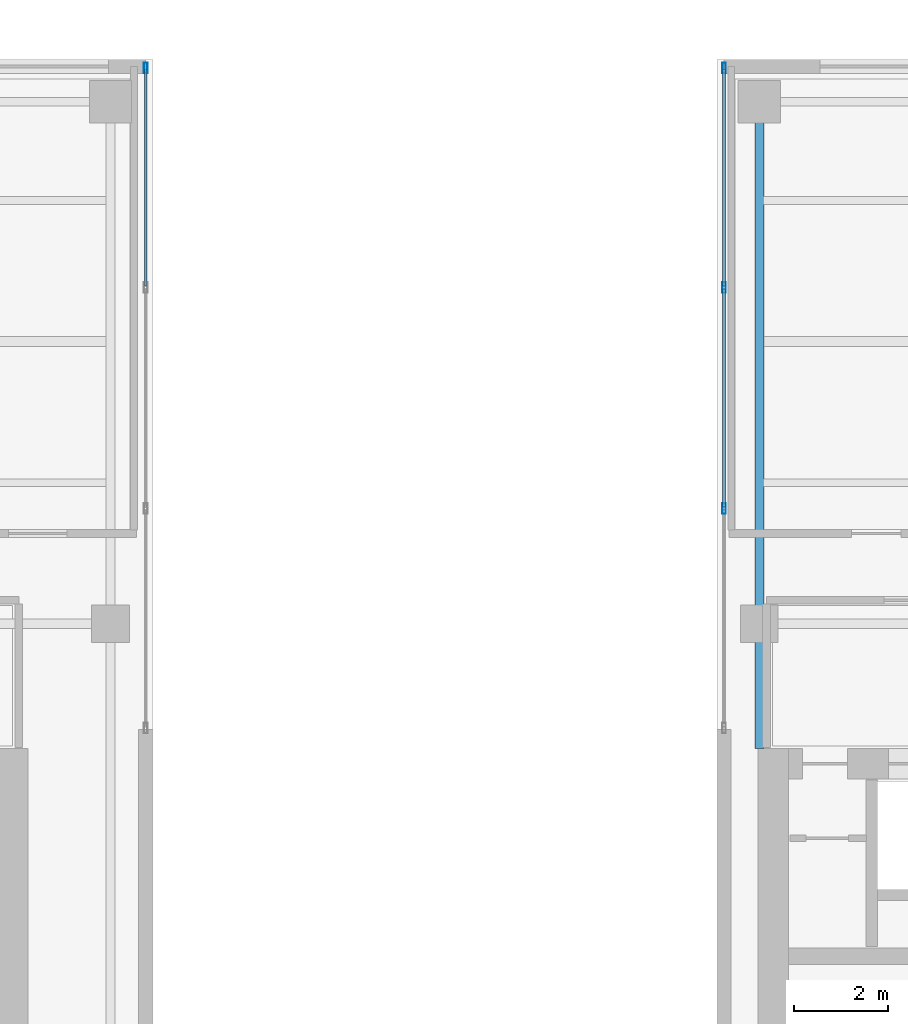
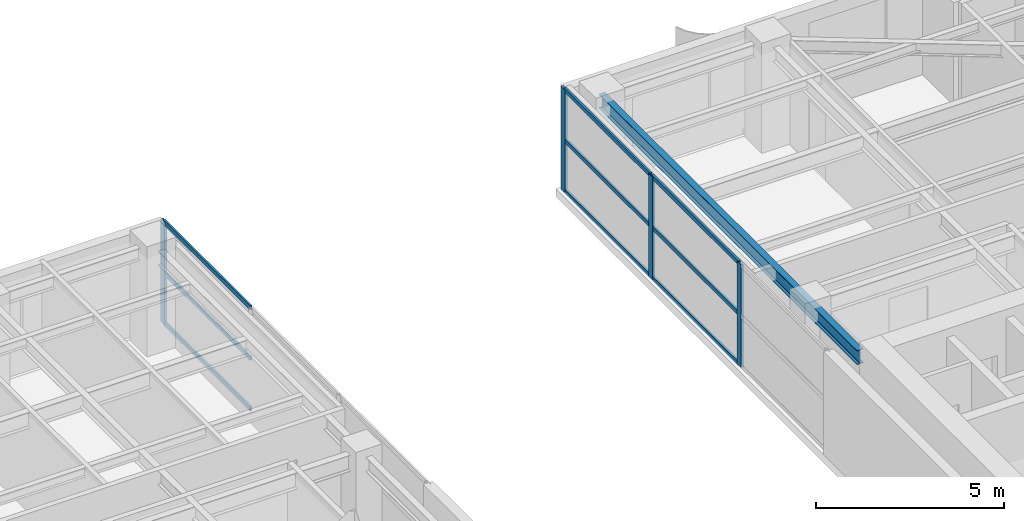
# One storey, part 14 of 22: 13 members, 1 beam, 2 elements without a shape of their own.
"""IFC4 building model written with IfcOpenShell, lengths in metres."""

import ifcopenshell
import ifcopenshell.guid

model = None  # the IFC model being written
_history = None  # IfcOwnerHistory: only IFC2X3 demands one
_inside = {}  # id of a spatial element -> (the spatial element, [elements in it])
_under = {}  # id of a project, library or spatial element -> (it, [spatial elements below it])
_declared = {}  # id of a project -> (the project, [libraries it declares])
_typed = {}  # id of a type object -> (the type object, [elements of that type])
_made_of = {}  # id of a material, layer set ... -> (it, [elements and type objects made of it])


def new_model(schema):
    """Start an empty IFC model of exactly this schema.

    Asked for "IFC4X3", IfcOpenShell would pick the latest addendum, in which some entities
    have other attributes; the version numbers below select the first issue.
    IFC2X3 requires an IfcOwnerHistory on every rooted entity: one is made here for all.
    """
    global model, _history
    if schema == "IFC4X3":
        model = ifcopenshell.file(schema_version=(4, 3, 0, 0))
    else:
        model = ifcopenshell.file(schema=schema)
    _inside.clear()
    _under.clear()
    _declared.clear()
    _typed.clear()
    _made_of.clear()
    _history = None
    if model.schema == "IFC2X3":
        org = make("IfcOrganization", Name="unknown")
        user = make(
            "IfcPersonAndOrganization",
            ThePerson=make("IfcPerson", FamilyName="unknown"),
            TheOrganization=org,
        )
        app = make(
            "IfcApplication",
            ApplicationDeveloper=org,
            Version="unknown",
            ApplicationFullName="unknown",
            ApplicationIdentifier="unknown",
        )
        _history = make(
            "IfcOwnerHistory",
            OwningUser=user,
            OwningApplication=app,
            ChangeAction="ADDED",
            CreationDate=0,
        )
    return model


def make(cls, **values):
    """One entity of the class cls with the attributes given. An attribute that is None is left unset."""
    return model.create_entity(
        cls, **{name: value for name, value in values.items() if value is not None}
    )


def rooted(cls, **values):
    """An entity with a GlobalId (a new one), such as an element, a storey or a relation."""
    return make(cls, GlobalId=ifcopenshell.guid.new(), OwnerHistory=_history, **values)


def si_unit(unit_type, name, prefix=None):
    """IfcSIUnit, for example si_unit("LENGTHUNIT", "METRE", prefix="MILLI")."""
    return make("IfcSIUnit", UnitType=unit_type, Prefix=prefix, Name=name)


def assignment(units):
    """IfcUnitAssignment: the units of a project."""
    return None if units is None else make("IfcUnitAssignment", Units=units)


def point(xyz):
    """IfcCartesianPoint."""
    return None if xyz is None else make("IfcCartesianPoint", Coordinates=xyz)


def direction(xyz):
    """IfcDirection."""
    return None if xyz is None else make("IfcDirection", DirectionRatios=xyz)


def frame(location, z_axis=None, x_axis=None):
    """IfcAxis2Placement3D, a coordinate frame: its origin and axes. An axis left out is left unset."""
    return make(
        "IfcAxis2Placement3D",
        Location=point(location),
        Axis=direction(z_axis),
        RefDirection=direction(x_axis),
    )


def frame_2d(location, x_axis=None):
    """IfcAxis2Placement2D, a coordinate frame in the plane: its origin and x axis."""
    return make(
        "IfcAxis2Placement2D", Location=point(location), RefDirection=direction(x_axis)
    )


def origin():
    """The frame at (0, 0, 0) with its axes left unset."""
    return frame((0.0, 0.0, 0.0))


def origin_2d():
    """The frame at (0, 0) in the plane with its x axis left unset."""
    return frame_2d((0.0, 0.0))


def place(relative_to, where):
    """IfcLocalPlacement: puts the frame where relative to a parent placement (None: the world)."""
    return make(
        "IfcLocalPlacement", PlacementRelTo=relative_to, RelativePlacement=where
    )


def context(
    kind, dimensions, precision=None, world=None, true_north=None, identifier=None
):
    """IfcGeometricRepresentationContext, for example the 3D "Model" context."""
    return make(
        "IfcGeometricRepresentationContext",
        ContextIdentifier=identifier,
        ContextType=kind,
        CoordinateSpaceDimension=dimensions,
        Precision=precision,
        WorldCoordinateSystem=world,
        TrueNorth=true_north,
    )


def subcontext(parent, identifier, kind, view, scale=None):
    """IfcGeometricRepresentationSubContext, for example "Body" below "Model"."""
    return make(
        "IfcGeometricRepresentationSubContext",
        ContextIdentifier=identifier,
        ContextType=kind,
        ParentContext=parent,
        TargetScale=scale,
        TargetView=view,
    )


def project(units=None, contexts=None):
    """IfcProject with its units and contexts."""
    return rooted(
        "IfcProject",
        Name="project",
        RepresentationContexts=contexts,
        UnitsInContext=assignment(units),
    )


def spatial(cls, under=None, at=None, **own):
    """A site, building, storey or space (cls), placed at a placement, below another one or the project."""
    s = rooted(cls, ObjectPlacement=at, **own)
    if under is not None:
        _under.setdefault(under.id(), (under, []))[1].append(s)
    return s


def profile(cls, at=None, kind="AREA", **sizes):
    """A parametric profile (cls). Its sizes go by their IFC names, for example OverallWidth=200.0."""
    return make(cls, ProfileType=kind, Position=at, **sizes)


def hollow_rectangle(**sizes):
    """IfcRectangleHollowProfileDef."""
    return profile("IfcRectangleHollowProfileDef", **sizes)


def i_section(**sizes):
    """IfcIShapeProfileDef."""
    return profile("IfcIShapeProfileDef", **sizes)


def extrude(swept, where, along, depth):
    """IfcExtrudedAreaSolid: the profile swept, set in the frame where, extruded along a direction by depth."""
    return make(
        "IfcExtrudedAreaSolid",
        SweptArea=swept,
        Position=where,
        ExtrudedDirection=direction(along),
        Depth=depth,
    )


def shape(context_of_items, identifier, shape_type, items):
    """IfcShapeRepresentation: the items that make up one representation, for example the "Body"."""
    return make(
        "IfcShapeRepresentation",
        ContextOfItems=context_of_items,
        RepresentationIdentifier=identifier,
        RepresentationType=shape_type,
        Items=items,
    )


def source(mapping_origin, context_of_items, identifier, shape_type, items):
    """IfcRepresentationMap: a shape defined once, which mapped items show again and again."""
    return make(
        "IfcRepresentationMap",
        MappingOrigin=mapping_origin,
        MappedRepresentation=shape(context_of_items, identifier, shape_type, items),
    )


def transform(
    local_origin,
    x_axis=None,
    y_axis=None,
    z_axis=None,
    scale=None,
    scale2=None,
    scale3=None,
    uniform=True,
):
    """IfcCartesianTransformationOperator3D, or its non-uniform kind. x_axis, y_axis, z_axis: its Axis1, 2, 3."""
    if uniform:
        return make(
            "IfcCartesianTransformationOperator3D",
            Axis1=direction(x_axis),
            Axis2=direction(y_axis),
            LocalOrigin=point(local_origin),
            Scale=scale,
            Axis3=direction(z_axis),
        )
    return make(
        "IfcCartesianTransformationOperator3DnonUniform",
        Axis1=direction(x_axis),
        Axis2=direction(y_axis),
        LocalOrigin=point(local_origin),
        Scale=scale,
        Axis3=direction(z_axis),
        Scale2=scale2,
        Scale3=scale3,
    )


def mapped(mapping_source, mapping_target):
    """IfcMappedItem: shows the shape of a source again, moved by a transform."""
    return make(
        "IfcMappedItem", MappingSource=mapping_source, MappingTarget=mapping_target
    )


def material(Name=None, Category=None):
    """IfcMaterial."""
    return make("IfcMaterial", Name=Name, Category=Category)


def layer(
    of_material, thickness, ventilated=None, Name=None, Category=None, Priority=None
):
    """IfcMaterialLayer: one layer of a wall or slab, of a material (None: an air gap)."""
    return make(
        "IfcMaterialLayer",
        Material=of_material,
        LayerThickness=thickness,
        IsVentilated=ventilated,
        Name=Name,
        Category=Category,
        Priority=Priority,
    )


def layer_set(layers, Name=None):
    """IfcMaterialLayerSet."""
    return make("IfcMaterialLayerSet", MaterialLayers=layers, LayerSetName=Name)


def material_profile(
    of_material, cross_section, Name=None, Category=None, Priority=None
):
    """IfcMaterialProfile: a cross section and its material."""
    return make(
        "IfcMaterialProfile",
        Name=Name,
        Material=of_material,
        Profile=cross_section,
        Priority=Priority,
        Category=Category,
    )


def profile_set(profiles, Name=None, composite=None):
    """IfcMaterialProfileSet."""
    return make(
        "IfcMaterialProfileSet",
        Name=Name,
        MaterialProfiles=profiles,
        CompositeProfile=composite,
    )


def made_of(thing, what):
    """Note that an element or type object is made of a material, layer set ...; save() writes the relation."""
    if what is not None:
        _made_of.setdefault(what.id(), (what, []))[1].append(thing)
    return thing


def type_object(cls, material=None, **own):
    """A type object (cls), such as IfcWallType, which elements share."""
    return made_of(rooted(cls, **own), material)


def element(
    cls,
    number,
    at=None,
    inside=None,
    cuts=None,
    type_object=None,
    material=None,
    context=None,
    identifier="Body",
    shape_type=None,
    held_by="IfcProductDefinitionShape",
    body=None,
    shapes=None,
    **own,
):
    """One element of the class cls, such as IfcWall. Its Tag is "e" and its number.

    at: its placement. inside: the storey or other place that contains it. cuts: it is an
    opening in that element (IfcRelVoidsElement). A single representation is given by context,
    identifier, shape_type and body (its items); several are given by shapes. held_by: the class
    of the entity that holds the representations. save() writes the other relations.
    """
    e = rooted(cls, Tag="e%d" % number, ObjectPlacement=at, **own)
    if body is not None:
        shapes = [shape(context, identifier, shape_type, body)]
    if shapes is not None:
        e.Representation = make(held_by, Representations=shapes)
    if inside is not None:
        _inside.setdefault(inside.id(), (inside, []))[1].append(e)
    if cuts is not None:
        rooted(
            "IfcRelVoidsElement", RelatingBuildingElement=cuts, RelatedOpeningElement=e
        )
    if type_object is not None:
        _typed.setdefault(type_object.id(), (type_object, []))[1].append(e)
    return made_of(e, material)


def aggregate(whole, parts):
    """IfcRelAggregates: a whole, such as a stair, and the parts it consists of."""
    return rooted("IfcRelAggregates", RelatingObject=whole, RelatedObjects=parts)


def save(model, path):
    """Write the relations noted so far, then the file.

    IfcRelAggregates (storeys below a building ...), IfcRelContainedInSpatialStructure (elements
    in a storey), IfcRelDefinesByType, IfcRelAssociatesMaterial and IfcRelDeclares: one each for
    every whole, place, type object, material and project.
    """
    for whole, parts in _under.values():
        aggregate(whole, parts)
    for where, things in _inside.values():
        rooted(
            "IfcRelContainedInSpatialStructure",
            RelatedElements=things,
            RelatingStructure=where,
        )
    for kind, things in _typed.values():
        rooted("IfcRelDefinesByType", RelatedObjects=things, RelatingType=kind)
    for what, things in _made_of.values():
        rooted("IfcRelAssociatesMaterial", RelatedObjects=things, RelatingMaterial=what)
    for by, libraries in _declared.values():
        rooted("IfcRelDeclares", RelatingContext=by, RelatedDefinitions=libraries)
    model.write(path)


model = new_model("IFC4")

# Units and contexts
model_context = context("Model", 3, precision=1e-05, world=origin(), true_north=direction((0.0, 1.0)))
body_context = subcontext(model_context, "Body", "Model", "MODEL_VIEW")
ifc_project = project(units=[si_unit("LENGTHUNIT", "METRE"), si_unit("AREAUNIT", "SQUARE_METRE"), si_unit("VOLUMEUNIT", "CUBIC_METRE"), si_unit("PLANEANGLEUNIT", "RADIAN"), si_unit("MASSUNIT", "GRAM", prefix="KILO")], contexts=[model_context])

# Site, building, storey
site_placement = place(None, origin())
site = spatial("IfcSite", under=ifc_project, at=site_placement, CompositionType="ELEMENT")
building_placement = place(site_placement, origin())
building = spatial("IfcBuilding", under=site, at=building_placement, Name="Khoralis Quay Care Tower", CompositionType="ELEMENT")
storey_placement = place(building_placement, frame((0.0, 0.0, 191.699951171875)))
storey = spatial("IfcBuildingStorey", under=building, at=storey_placement, Name="L50", CompositionType="ELEMENT", Elevation=191.699951171875)

# Beam
ifc_material_1 = material(Name="Steel S355", Category="steel")
ifc_material_profile_1 = material_profile(ifc_material_1, i_section(OverallWidth=0.19189453125, OverallDepth=0.462890625, WebThickness=0.010498046875, FlangeThickness=0.017578125, FilletRadius=0.014892578125, at=origin_2d()), Name="Steel S355")
ifc_profile_set_1 = profile_set([ifc_material_profile_1], Name="Steel S355")
beam_type = type_object("IfcBeamType", Name="BM-W460X89", PredefinedType="BEAM", material=ifc_profile_set_1)
shared_shape_1 = source(origin(), body_context, "Body", "SweptSolid", [
    extrude(i_section(OverallWidth=0.19189453125, OverallDepth=0.462890625, WebThickness=0.010498046875, FlangeThickness=0.017578125, FilletRadius=0.014892578125, at=origin_2d()), origin(), (0.0, 0.0, 1.0), 13.752197265625),
])
beam_placement = place(storey_placement, frame((30.89990234375, 27.347900390625, 3.108642578125), z_axis=(0.0, 1.0, 0.0), x_axis=(-1.0, 0.0, 0.0)))
element("IfcBeam", 1, at=beam_placement, inside=storey, type_object=beam_type, Name="BM-TGYN-L50-309", PredefinedType="BEAM", context=body_context, shape_type="MappedRepresentation", body=[
    mapped(shared_shape_1, transform((0.0, 0.0, 0.0), scale=1.0)),
])

# Curtain wall, member
ifc_material_2 = material(Name="Pale anodised aluminium", Category="aluminium")
ifc_layer = layer(ifc_material_2, 0.18994140625)
ifc_layer_set = layer_set([ifc_layer], Name="Pale anodised aluminium")
curtain_wall_type = type_object("IfcCurtainWallType", Name="CW-SYS-PORTAL", PredefinedType="NOTDEFINED", material=ifc_layer_set)
curtain_wall_1_placement = place(storey_placement, origin())
curtain_wall_1 = element("IfcCurtainWall", 2, at=curtain_wall_1_placement, inside=storey, type_object=curtain_wall_type, Name="L50 Unitised Curtain Wall CW-VP-L50-P1-N", PredefinedType="NOTDEFINED")
ifc_material_profile_2 = material_profile(ifc_material_2, hollow_rectangle(XDim=0.074951171875, YDim=0.219970703125, WallThickness=0.00390625, at=origin_2d()), Name="Pale anodised aluminium")
ifc_profile_set_2 = profile_set([ifc_material_profile_2], Name="Pale anodised aluminium")
member_type_1 = type_object("IfcMemberType", Name="CW-MUL-220", PredefinedType="MULLION", material=ifc_profile_set_2)
shared_shape_2 = source(origin(), body_context, "Body", "SweptSolid", [
    extrude(hollow_rectangle(XDim=0.074951171875, YDim=0.219970703125, WallThickness=0.00390625, at=origin_2d()), origin(), (0.0, 0.0, 1.0), 3.340087890625),
])
member_1_placement = place(storey_placement, frame((17.85009765625, 41.820068359375, 0.0), z_axis=(0.0, 0.0, 1.0), x_axis=(-1.0, 0.0, 0.0)))
member_1 = element("IfcMember", 3, at=member_1_placement, type_object=member_type_1, Name="CW4 mullion 4", PredefinedType="MULLION", context=body_context, shape_type="MappedRepresentation", body=[
    mapped(shared_shape_2, transform((0.0, 0.0, 0.0), scale=1.0)),
])

# Curtain wall, members
curtain_wall_2_placement = place(storey_placement, origin())
curtain_wall_2 = element("IfcCurtainWall", 4, at=curtain_wall_2_placement, inside=storey, type_object=curtain_wall_type, Name="L50 Unitised Curtain Wall CW-VP-L50-P2-N", PredefinedType="NOTDEFINED")
member_2_placement = place(storey_placement, frame((30.14990234375, 32.449951171875, 0.0), z_axis=(0.0, 0.0, 1.0), x_axis=(-1.0, 0.0, 0.0)))
member_2 = element("IfcMember", 5, at=member_2_placement, type_object=member_type_1, Name="CW4 mullion 2", PredefinedType="MULLION", context=body_context, shape_type="MappedRepresentation", body=[
    mapped(shared_shape_2, transform((0.0, 0.0, 0.0), scale=1.0)),
])
member_3_placement = place(storey_placement, frame((30.14990234375, 37.14990234375, 0.0), z_axis=(0.0, 0.0, 1.0), x_axis=(-1.0, 0.0, 0.0)))
member_3 = element("IfcMember", 6, at=member_3_placement, type_object=member_type_1, Name="CW4 mullion 3", PredefinedType="MULLION", context=body_context, shape_type="MappedRepresentation", body=[
    mapped(shared_shape_2, transform((0.0, 0.0, 0.0), scale=1.0)),
])
member_4_placement = place(storey_placement, frame((30.14990234375, 41.820068359375, 0.0), z_axis=(0.0, 0.0, 1.0), x_axis=(-1.0, 0.0, 0.0)))
member_4 = element("IfcMember", 7, at=member_4_placement, type_object=member_type_1, Name="CW4 mullion 4", PredefinedType="MULLION", context=body_context, shape_type="MappedRepresentation", body=[
    mapped(shared_shape_2, transform((0.0, 0.0, 0.0), scale=1.0)),
])

# Member
ifc_material_profile_3 = material_profile(ifc_material_2, hollow_rectangle(XDim=0.06005859375, YDim=0.139892578125, WallThickness=0.00390625, at=origin_2d()), Name="Pale anodised aluminium")
ifc_profile_set_3 = profile_set([ifc_material_profile_3], Name="Pale anodised aluminium")
member_type_2 = type_object("IfcMemberType", Name="CW-TRN-140", PredefinedType="USERDEFINED", material=ifc_profile_set_3)
shared_shape_3 = source(origin(), body_context, "Body", "SweptSolid", [
    extrude(hollow_rectangle(XDim=0.06005859375, YDim=0.139892578125, WallThickness=0.00390625, at=origin_2d()), origin(), (0.0, 0.0, 1.0), 4.610107421875),
])
member_5_placement = place(storey_placement, frame((17.85009765625, 37.179931640625, 0.030029296875), z_axis=(0.0, 1.0, 0.0), x_axis=(-1.0, 0.0, 0.0)))
member_5 = element("IfcMember", 8, at=member_5_placement, type_object=member_type_2, Name="CW4 transom 3.1", ObjectType="TRANSOM", PredefinedType="USERDEFINED", context=body_context, shape_type="MappedRepresentation", body=[
    mapped(shared_shape_3, transform((0.0, 0.0, 0.0), scale=1.0)),
])

member_6_placement = place(storey_placement, frame((17.85009765625, 37.179931640625, 1.670166015625), z_axis=(0.0, 1.0, 0.0), x_axis=(-1.0, 0.0, 0.0)))
member_6 = element("IfcMember", 9, at=member_6_placement, type_object=member_type_2, Name="CW4 transom 3.2", ObjectType="TRANSOM", PredefinedType="USERDEFINED", context=body_context, shape_type="MappedRepresentation", body=[
    mapped(shared_shape_3, transform((0.0, 0.0, 0.0), scale=1.0)),
])

member_7_placement = place(storey_placement, frame((17.85009765625, 37.179931640625, 3.31005859375), z_axis=(0.0, 1.0, 0.0), x_axis=(-1.0, 0.0, 0.0)))
member_7 = element("IfcMember", 10, at=member_7_placement, type_object=member_type_2, Name="CW4 transom 3.3", ObjectType="TRANSOM", PredefinedType="USERDEFINED", context=body_context, shape_type="MappedRepresentation", body=[
    mapped(shared_shape_3, transform((0.0, 0.0, 0.0), scale=1.0)),
])

aggregate(curtain_wall_1, [member_1, member_5, member_6, member_7])

member_8_placement = place(storey_placement, frame((30.14990234375, 37.179931640625, 0.030029296875), z_axis=(0.0, 1.0, 0.0), x_axis=(-1.0, 0.0, 0.0)))
member_8 = element("IfcMember", 11, at=member_8_placement, type_object=member_type_2, Name="CW4 transom 3.1", ObjectType="TRANSOM", PredefinedType="USERDEFINED", context=body_context, shape_type="MappedRepresentation", body=[
    mapped(shared_shape_3, transform((0.0, 0.0, 0.0), scale=1.0)),
])

member_9_placement = place(storey_placement, frame((30.14990234375, 37.179931640625, 1.670166015625), z_axis=(0.0, 1.0, 0.0), x_axis=(-1.0, 0.0, 0.0)))
member_9 = element("IfcMember", 12, at=member_9_placement, type_object=member_type_2, Name="CW4 transom 3.2", ObjectType="TRANSOM", PredefinedType="USERDEFINED", context=body_context, shape_type="MappedRepresentation", body=[
    mapped(shared_shape_3, transform((0.0, 0.0, 0.0), scale=1.0)),
])

member_10_placement = place(storey_placement, frame((30.14990234375, 37.179931640625, 3.31005859375), z_axis=(0.0, 1.0, 0.0), x_axis=(-1.0, 0.0, 0.0)))
member_10 = element("IfcMember", 13, at=member_10_placement, type_object=member_type_2, Name="CW4 transom 3.3", ObjectType="TRANSOM", PredefinedType="USERDEFINED", context=body_context, shape_type="MappedRepresentation", body=[
    mapped(shared_shape_3, transform((0.0, 0.0, 0.0), scale=1.0)),
])

shared_shape_4 = source(origin(), body_context, "Body", "SweptSolid", [
    extrude(hollow_rectangle(XDim=0.06005859375, YDim=0.139892578125, WallThickness=0.00390625, at=origin_2d()), origin(), (0.0, 0.0, 1.0), 4.64013671875),
])
member_11_placement = place(storey_placement, frame((30.14990234375, 32.47998046875, 0.030029296875), z_axis=(0.0, 1.0, 0.0), x_axis=(-1.0, 0.0, 0.0)))
member_11 = element("IfcMember", 14, at=member_11_placement, type_object=member_type_2, Name="CW4 transom 2.1", ObjectType="TRANSOM", PredefinedType="USERDEFINED", context=body_context, shape_type="MappedRepresentation", body=[
    mapped(shared_shape_4, transform((0.0, 0.0, 0.0), scale=1.0)),
])

member_12_placement = place(storey_placement, frame((30.14990234375, 32.47998046875, 1.670166015625), z_axis=(0.0, 1.0, 0.0), x_axis=(-1.0, 0.0, 0.0)))
member_12 = element("IfcMember", 15, at=member_12_placement, type_object=member_type_2, Name="CW4 transom 2.2", ObjectType="TRANSOM", PredefinedType="USERDEFINED", context=body_context, shape_type="MappedRepresentation", body=[
    mapped(shared_shape_4, transform((0.0, 0.0, 0.0), scale=1.0)),
])

member_13_placement = place(storey_placement, frame((30.14990234375, 32.47998046875, 3.31005859375), z_axis=(0.0, 1.0, 0.0), x_axis=(-1.0, 0.0, 0.0)))
member_13 = element("IfcMember", 16, at=member_13_placement, type_object=member_type_2, Name="CW4 transom 2.3", ObjectType="TRANSOM", PredefinedType="USERDEFINED", context=body_context, shape_type="MappedRepresentation", body=[
    mapped(shared_shape_4, transform((0.0, 0.0, 0.0), scale=1.0)),
])

aggregate(curtain_wall_2, [member_2, member_3, member_4, member_11, member_12, member_13, member_8, member_9, member_10])

save(model, "model.ifc")
